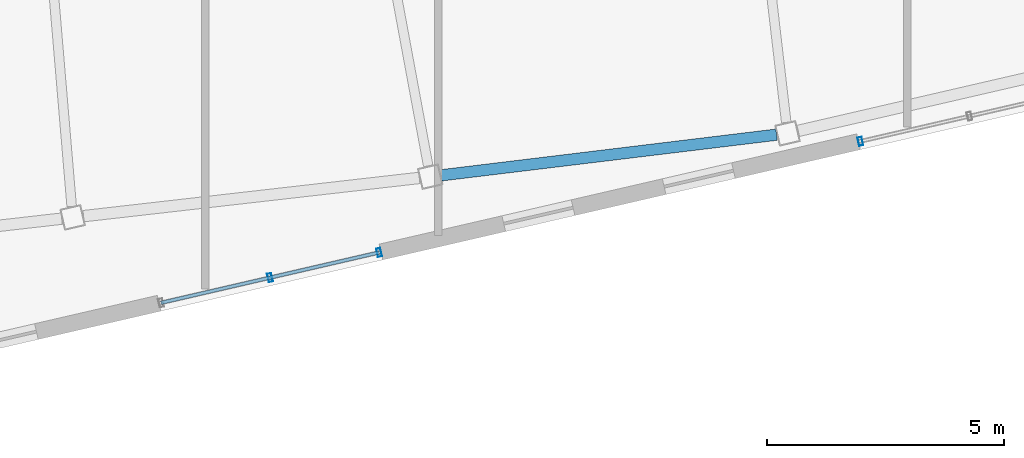
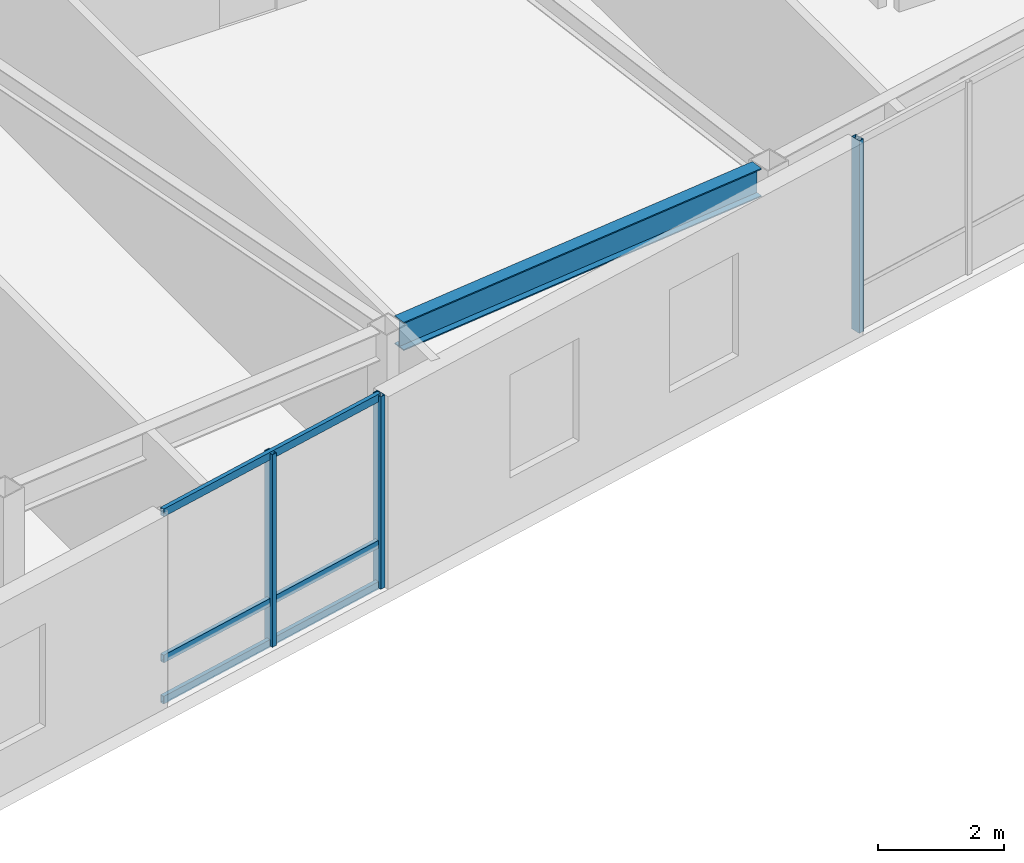
# One storey, part 8 of 22: 6 members, 1 beam, 2 elements without a shape of their own.
"""IFC4 building model written with IfcOpenShell, lengths in metres."""

from ifc_helpers import new_model, si_unit, direction, frame, origin, origin_2d, place, context, subcontext, project, spatial, hollow_rectangle, i_section, extrude, material, layer, layer_set, material_profile, profile_set, type_object, element, aggregate, save


model = new_model("IFC4")

# Units and contexts
model_context = context("Model", 3, precision=1e-05, world=origin(), true_north=direction((0.0, 1.0)))
body_context = subcontext(model_context, "Body", "Model", "MODEL_VIEW")
ifc_project = project(units=[si_unit("LENGTHUNIT", "METRE"), si_unit("AREAUNIT", "SQUARE_METRE"), si_unit("VOLUMEUNIT", "CUBIC_METRE"), si_unit("PLANEANGLEUNIT", "RADIAN"), si_unit("MASSUNIT", "GRAM", prefix="KILO")], contexts=[model_context])

# Site, building, storey
site_placement = place(None, origin())
site = spatial("IfcSite", under=ifc_project, at=site_placement, CompositionType="ELEMENT")
building_placement = place(site_placement, origin())
building = spatial("IfcBuilding", under=site, at=building_placement, Name="Tavrogorsk Clinical Tower", CompositionType="ELEMENT")
storey_placement = place(building_placement, frame((0.0, 0.0, 317.0)))
storey = spatial("IfcBuildingStorey", under=building, at=storey_placement, Name="L74", CompositionType="ELEMENT", Elevation=317.0)

# Curtain wall, members
ifc_material_1 = material(Name="Anodised aluminium and triple IGU glazing", Category="aluminium")
ifc_layer = layer(ifc_material_1, 0.179931640625)
ifc_layer_set = layer_set([ifc_layer], Name="Anodised aluminium and triple IGU glazing")
curtain_wall_type = type_object("IfcCurtainWallType", Name="CW3_SouthSlot", PredefinedType="NOTDEFINED", material=ifc_layer_set)
curtain_wall_1_placement = place(storey_placement, origin())
curtain_wall_1 = element("IfcCurtainWall", 1, at=curtain_wall_1_placement, inside=storey, type_object=curtain_wall_type, Name="L74 Curtain Wall CW-L74-S-SLOT-1", PredefinedType="NOTDEFINED")
ifc_material_2 = material(Name="Anodised aluminium alloy AW-6060", Category="aluminium")
ifc_material_profile_1 = material_profile(ifc_material_2, hollow_rectangle(XDim=0.090087890625, YDim=0.179931640625, WallThickness=0.00634765625, at=origin_2d()), Name="RHS-180x90x6.3")
ifc_profile_set_1 = profile_set([ifc_material_profile_1], Name="Anodised aluminium alloy AW-6060")
member_type_1 = type_object("IfcMemberType", Name="CwMullion_180x90", PredefinedType="MULLION", material=ifc_profile_set_1)
member_1_placement = place(storey_placement, frame((-4.633544921875, -25.438232421875, 0.0), z_axis=(0.0, 0.0, 1.0), x_axis=(0.974370057377, 0.224951086434, 0.0)))
member_1 = element("IfcMember", 2, at=member_1_placement, type_object=member_type_1, Name="CW-L74-S-SLOT-1 Mullion 2", PredefinedType="MULLION", context=body_context, shape_type="SweptSolid", body=[
    extrude(hollow_rectangle(XDim=0.090087890625, YDim=0.179931640625, WallThickness=0.00634765625, at=origin_2d()), origin(), (0.0, 0.0, 1.0), 3.739990234375),
])
member_2_placement = place(storey_placement, frame((-2.3349609375, -24.90771484375, 0.0), z_axis=(0.0, 0.0, 1.0), x_axis=(0.974370057377, 0.224951086434, 0.0)))
member_2 = element("IfcMember", 3, at=member_2_placement, type_object=member_type_1, Name="CW-L74-S-SLOT-1 Mullion 3", PredefinedType="MULLION", context=body_context, shape_type="SweptSolid", body=[
    extrude(hollow_rectangle(XDim=0.090087890625, YDim=0.179931640625, WallThickness=0.00634765625, at=origin_2d()), origin(), (0.0, 0.0, 1.0), 3.739990234375),
])

# Curtain wall, member
curtain_wall_2_placement = place(storey_placement, origin())
curtain_wall_2 = element("IfcCurtainWall", 4, at=curtain_wall_2_placement, inside=storey, type_object=curtain_wall_type, Name="L74 Curtain Wall CW-L74-S-SLOT-2", PredefinedType="NOTDEFINED")
member_3_placement = place(storey_placement, frame((7.80810546875, -22.56591796875, 0.0), z_axis=(0.0, 0.0, 1.0), x_axis=(0.974370057377, 0.224951086434, 0.0)))
member_3 = element("IfcMember", 5, at=member_3_placement, type_object=member_type_1, Name="CW-L74-S-SLOT-2 Mullion 1", PredefinedType="MULLION", context=body_context, shape_type="SweptSolid", body=[
    extrude(hollow_rectangle(XDim=0.090087890625, YDim=0.179931640625, WallThickness=0.00634765625, at=origin_2d()), origin(), (0.0, 0.0, 1.0), 3.739990234375),
])
aggregate(curtain_wall_2, [member_3])

# Member
ifc_material_3 = material(Name="Anodised aluminium alloy AW-6060", Category="aluminium")
ifc_material_profile_2 = material_profile(ifc_material_3, hollow_rectangle(XDim=0.074951171875, YDim=0.14990234375, WallThickness=0.0048828125, at=origin_2d()), Name="RHS-150x75x5")
ifc_profile_set_2 = profile_set([ifc_material_profile_2], Name="Anodised aluminium alloy AW-6060")
member_type_2 = type_object("IfcMemberType", Name="CwTransom_150x75", PredefinedType="USERDEFINED", material=ifc_profile_set_2)
member_4_placement = place(storey_placement, frame((-6.93212890625, -25.968994140625, 0.050048828125), z_axis=(0.974372877948, 0.22493886885, 0.0), x_axis=(-0.22493886885, 0.974372877948, 0.0)))
member_4 = element("IfcMember", 6, at=member_4_placement, type_object=member_type_2, Name="CW-L74-S-SLOT-1 Transom 1", ObjectType="TRANSOM", PredefinedType="USERDEFINED", context=body_context, shape_type="SweptSolid", body=[
    extrude(hollow_rectangle(XDim=0.074951171875, YDim=0.14990234375, WallThickness=0.0048828125, at=origin_2d()), origin(), (0.0, 0.0, 1.0), 4.718017578125),
])

member_5_placement = place(storey_placement, frame((-6.93212890625, -25.968994140625, 0.85009765625), z_axis=(0.974372877948, 0.22493886885, 0.0), x_axis=(-0.22493886885, 0.974372877948, 0.0)))
member_5 = element("IfcMember", 7, at=member_5_placement, type_object=member_type_2, Name="CW-L74-S-SLOT-1 Transom 2", ObjectType="TRANSOM", PredefinedType="USERDEFINED", context=body_context, shape_type="SweptSolid", body=[
    extrude(hollow_rectangle(XDim=0.074951171875, YDim=0.14990234375, WallThickness=0.0048828125, at=origin_2d()), origin(), (0.0, 0.0, 1.0), 4.718017578125),
])

member_6_placement = place(storey_placement, frame((-6.93212890625, -25.968994140625, 3.68994140625), z_axis=(0.974372877948, 0.22493886885, 0.0), x_axis=(-0.22493886885, 0.974372877948, 0.0)))
member_6 = element("IfcMember", 8, at=member_6_placement, type_object=member_type_2, Name="CW-L74-S-SLOT-1 Transom 3", ObjectType="TRANSOM", PredefinedType="USERDEFINED", context=body_context, shape_type="SweptSolid", body=[
    extrude(hollow_rectangle(XDim=0.074951171875, YDim=0.14990234375, WallThickness=0.0048828125, at=origin_2d()), origin(), (0.0, 0.0, 1.0), 4.718017578125),
])

aggregate(curtain_wall_1, [member_1, member_2, member_4, member_5, member_6])

# Beam
ifc_material_4 = material(Name="Structural steel S390", Category="steel")
ifc_material_profile_3 = material_profile(ifc_material_4, i_section(OverallWidth=0.239990234375, OverallDepth=0.550048828125, WebThickness=0.013916015625, FlangeThickness=0.02197265625, at=origin_2d()), Name="B-550x240x14x22")
ifc_profile_set_3 = profile_set([ifc_material_profile_3], Name="Structural steel S390")
beam_type = type_object("IfcBeamType", Name="SpandrelBeam_B550", PredefinedType="SPANDREL", material=ifc_profile_set_3)
beam_placement = place(storey_placement, frame((-1.026123046875, -23.28173828125, 3.465087890625), z_axis=(0.992733657897, 0.120332391639, 0.0), x_axis=(-0.120332391639, 0.992733657897, 0.0)))
element("IfcBeam", 9, at=beam_placement, inside=storey, type_object=beam_type, Name="L74 Perimeter Spandrel S4-S5", PredefinedType="SPANDREL", context=body_context, shape_type="SweptSolid", body=[
    extrude(i_section(OverallWidth=0.239990234375, OverallDepth=0.550048828125, WebThickness=0.013916015625, FlangeThickness=0.02197265625, at=origin_2d()), origin(), (0.0, 0.0, 1.0), 7.119384765625),
])

save(model, "model.ifc")
